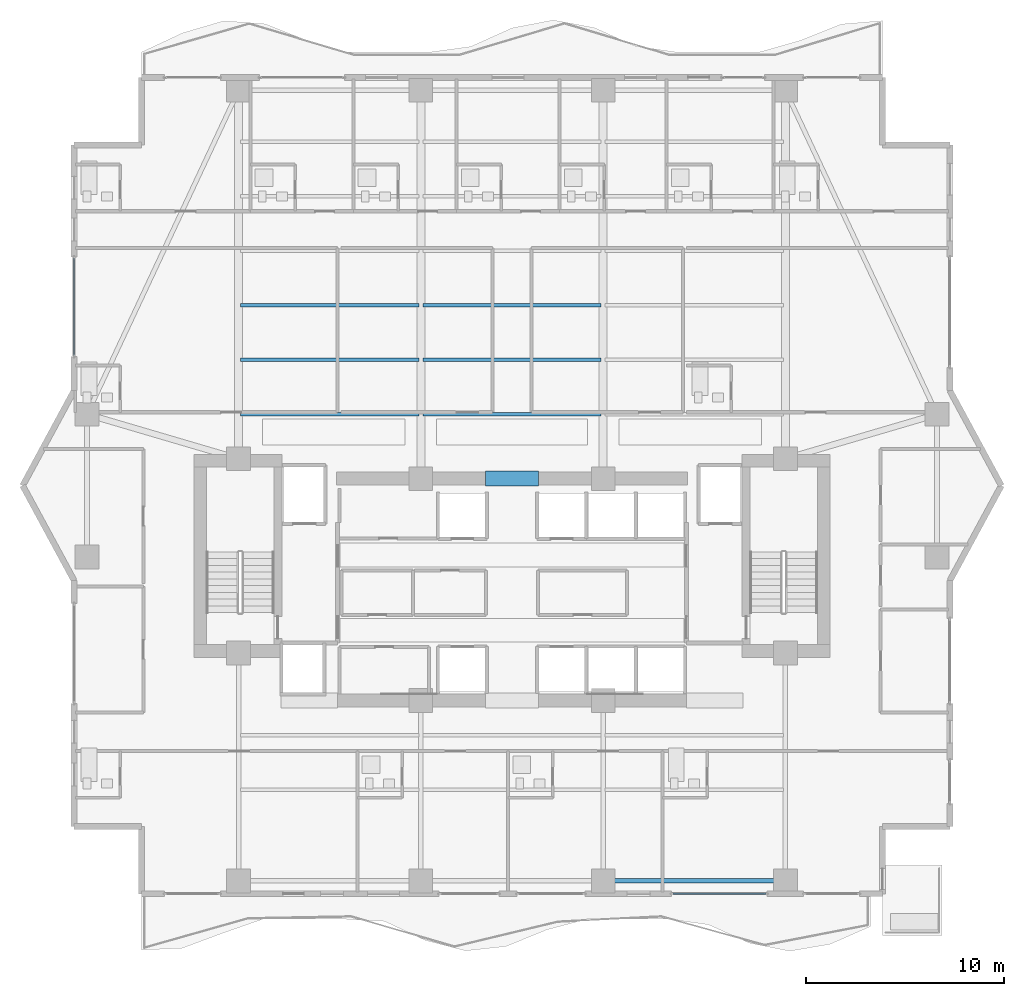
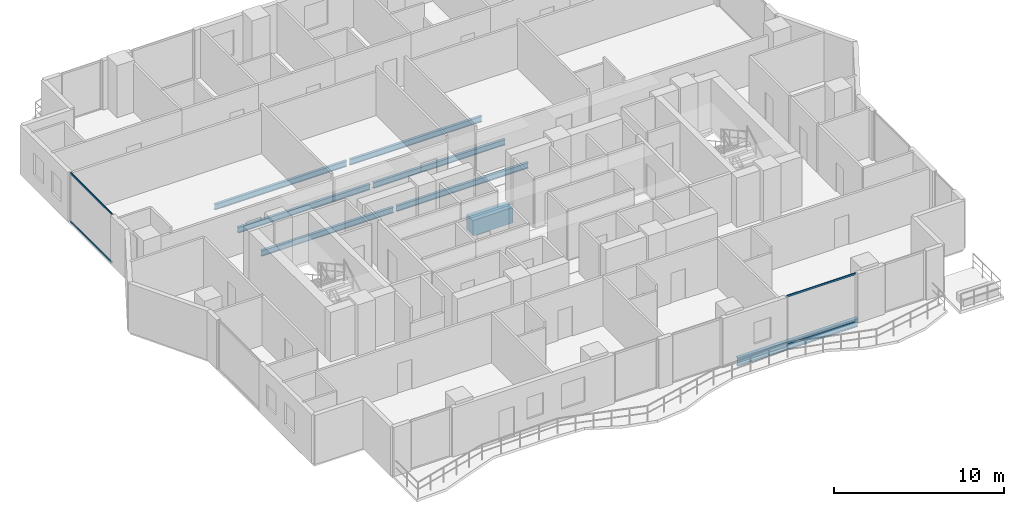
# One storey, part 10 of 32: 8 beams, 4 members, 2 elements without a shape of their own.
"""IFC4 building model written with IfcOpenShell, lengths in metres."""

from ifc_helpers import new_model, si_unit, direction, frame, origin, origin_2d, place, context, subcontext, project, spatial, rectangle, hollow_rectangle, i_section, extrude, material, layer, layer_set, material_profile, profile_set, type_object, element, aggregate, save


model = new_model("IFC4")

# Units and contexts
model_context = context("Model", 3, precision=1e-05, world=origin(), true_north=direction((0.0, 1.0)))
body_context = subcontext(model_context, "Body", "Model", "MODEL_VIEW")
ifc_project = project(units=[si_unit("LENGTHUNIT", "METRE"), si_unit("AREAUNIT", "SQUARE_METRE"), si_unit("VOLUMEUNIT", "CUBIC_METRE"), si_unit("PLANEANGLEUNIT", "RADIAN"), si_unit("MASSUNIT", "GRAM", prefix="KILO")], contexts=[model_context])

# Site, building, storey
site_placement = place(None, origin())
site = spatial("IfcSite", under=ifc_project, at=site_placement, CompositionType="ELEMENT")
building_placement = place(site_placement, origin())
building = spatial("IfcBuilding", under=site, at=building_placement, Name="Zuhayl Quay Hotel", CompositionType="ELEMENT")
storey_placement = place(building_placement, frame((0.0, 0.0, 203.64990234375)))
storey = spatial("IfcBuildingStorey", under=building, at=storey_placement, Name="L51", CompositionType="ELEMENT", Elevation=203.64990234375)

# Beams
ifc_material_1 = material(Name="Steel ASTM A992 Grade 50", Category="steel")
ifc_material_profile_1 = material_profile(ifc_material_1, i_section(OverallWidth=0.22802734375, OverallDepth=0.60693359375, WebThickness=0.01123046875, FlangeThickness=0.017333984375, at=origin_2d()), Name="W24X76")
ifc_profile_set_1 = profile_set([ifc_material_profile_1], Name="Steel ASTM A992 Grade 50")
beam_type_1 = type_object("IfcBeamType", Name="BM_B3_W24X76", PredefinedType="BEAM", material=ifc_profile_set_1)
beam_1_placement = place(storey_placement, frame((5.10009765625, -6.949951171875, -0.5234375), z_axis=(1.0, 0.0, 0.0), x_axis=(0.0, 1.0, 0.0)))
element("IfcBeam", 1, at=beam_1_placement, inside=storey, type_object=beam_type_1, Name="L51 Floor Beam RG_L51_03", PredefinedType="BEAM", context=body_context, shape_type="SweptSolid", body=[
    extrude(i_section(OverallWidth=0.22802734375, OverallDepth=0.60693359375, WebThickness=0.01123046875, FlangeThickness=0.017333984375, at=origin_2d()), origin(), (0.0, 0.0, 1.0), 8.199951171875),
])
ifc_material_2 = material(Name="Concrete C60/75", Category="concrete")
ifc_material_profile_2 = material_profile(ifc_material_2, rectangle(XDim=0.75, YDim=1.10009765625, at=origin_2d()), Name="RC750X1100")
ifc_profile_set_2 = profile_set([ifc_material_profile_2], Name="Concrete C60/75")
beam_type_2 = type_object("IfcBeamType", Name="BM_CB2_RC750", PredefinedType="T_BEAM", material=ifc_profile_set_2)
beam_2_placement = place(storey_placement, frame((-1.35009765625, 13.35009765625, -0.77001953125), z_axis=(1.0, 0.0, 0.0), x_axis=(0.0, 1.0, 0.0)))
element("IfcBeam", 2, at=beam_2_placement, inside=storey, type_object=beam_type_2, Name="L51 Core Coupling Beam North", PredefinedType="T_BEAM", context=body_context, shape_type="SweptSolid", body=[
    extrude(rectangle(XDim=0.75, YDim=1.10009765625, at=origin_2d()), origin(), (0.0, 0.0, 1.0), 2.7001953125),
])
ifc_material_profile_3 = material_profile(ifc_material_1, i_section(OverallWidth=0.177978515625, OverallDepth=0.406005859375, WebThickness=0.0078125, FlangeThickness=0.0126953125, at=origin_2d()), Name="W16X40")
ifc_profile_set_3 = profile_set([ifc_material_profile_3], Name="Steel ASTM A992 Grade 50")
beam_type_3 = type_object("IfcBeamType", Name="BM_J2B_W16X40", PredefinedType="JOIST", material=ifc_profile_set_3)
beam_3_placement = place(storey_placement, frame((-13.694091796875, 16.60009765625, -0.4228515625), z_axis=(1.0, 0.0, 0.0), x_axis=(0.0, 1.0, 0.0)))
element("IfcBeam", 3, at=beam_3_placement, inside=storey, type_object=beam_type_3, Name="L51 Floor Beam FJ_L51_1_1", PredefinedType="JOIST", context=body_context, shape_type="SweptSolid", body=[
    extrude(i_section(OverallWidth=0.177978515625, OverallDepth=0.406005859375, WebThickness=0.0078125, FlangeThickness=0.0126953125, at=origin_2d()), origin(), (0.0, 0.0, 1.0), 8.988037109375),
])
beam_4_placement = place(storey_placement, frame((-4.493896484375, 16.60009765625, -0.4228515625), z_axis=(1.0, 0.0, 0.0), x_axis=(0.0, 1.0, 0.0)))
element("IfcBeam", 4, at=beam_4_placement, inside=storey, type_object=beam_type_3, Name="L51 Floor Beam FJ_L51_1_2", PredefinedType="JOIST", context=body_context, shape_type="SweptSolid", body=[
    extrude(i_section(OverallWidth=0.177978515625, OverallDepth=0.406005859375, WebThickness=0.0078125, FlangeThickness=0.0126953125, at=origin_2d()), origin(), (0.0, 0.0, 1.0), 8.98779296875),
])
beam_5_placement = place(storey_placement, frame((-13.694091796875, 19.35009765625, -0.4228515625), z_axis=(1.0, 0.0, 0.0), x_axis=(0.0, 1.0, 0.0)))
element("IfcBeam", 5, at=beam_5_placement, inside=storey, type_object=beam_type_3, Name="L51 Floor Beam FJ_L51_2_1", PredefinedType="JOIST", context=body_context, shape_type="SweptSolid", body=[
    extrude(i_section(OverallWidth=0.177978515625, OverallDepth=0.406005859375, WebThickness=0.0078125, FlangeThickness=0.0126953125, at=origin_2d()), origin(), (0.0, 0.0, 1.0), 8.988037109375),
])
beam_6_placement = place(storey_placement, frame((-4.493896484375, 19.35009765625, -0.4228515625), z_axis=(1.0, 0.0, 0.0), x_axis=(0.0, 1.0, 0.0)))
element("IfcBeam", 6, at=beam_6_placement, inside=storey, type_object=beam_type_3, Name="L51 Floor Beam FJ_L51_2_2", PredefinedType="JOIST", context=body_context, shape_type="SweptSolid", body=[
    extrude(i_section(OverallWidth=0.177978515625, OverallDepth=0.406005859375, WebThickness=0.0078125, FlangeThickness=0.0126953125, at=origin_2d()), origin(), (0.0, 0.0, 1.0), 8.98779296875),
])
beam_7_placement = place(storey_placement, frame((-13.694091796875, 22.10009765625, -0.4228515625), z_axis=(1.0, 0.0, 0.0), x_axis=(0.0, 1.0, 0.0)))
element("IfcBeam", 7, at=beam_7_placement, inside=storey, type_object=beam_type_3, Name="L51 Floor Beam FJ_L51_3_1", PredefinedType="JOIST", context=body_context, shape_type="SweptSolid", body=[
    extrude(i_section(OverallWidth=0.177978515625, OverallDepth=0.406005859375, WebThickness=0.0078125, FlangeThickness=0.0126953125, at=origin_2d()), origin(), (0.0, 0.0, 1.0), 8.988037109375),
])
beam_8_placement = place(storey_placement, frame((-4.493896484375, 22.10009765625, -0.4228515625), z_axis=(1.0, 0.0, 0.0), x_axis=(0.0, 1.0, 0.0)))
element("IfcBeam", 8, at=beam_8_placement, inside=storey, type_object=beam_type_3, Name="L51 Floor Beam FJ_L51_3_2", PredefinedType="JOIST", context=body_context, shape_type="SweptSolid", body=[
    extrude(i_section(OverallWidth=0.177978515625, OverallDepth=0.406005859375, WebThickness=0.0078125, FlangeThickness=0.0126953125, at=origin_2d()), origin(), (0.0, 0.0, 1.0), 8.98779296875),
])

# Curtain wall, members
ifc_material_3 = material(Name="Anodised Aluminium 6063-T6", Category="aluminium")
ifc_layer = layer(ifc_material_3, 0.175048828125, Name="Anodised Aluminium 6063-T6", Category="aluminium")
ifc_layer_set = layer_set([ifc_layer], Name="Anodised Aluminium 6063-T6")
curtain_wall_type = type_object("IfcCurtainWallType", Name="CW_SYS_Z3", PredefinedType="USERDEFINED", material=ifc_layer_set)
curtain_wall_1_placement = place(storey_placement, origin())
curtain_wall_1 = element("IfcCurtainWall", 9, at=curtain_wall_1_placement, inside=storey, type_object=curtain_wall_type, Name="L51 Curtain Wall ENV_L51_E05_CW1", ObjectType="UNITISED CURTAIN WALL", PredefinedType="USERDEFINED")
ifc_material_4 = material(Name="Black-anodised aluminium 6063-T6", Category="aluminium")
ifc_material_profile_4 = material_profile(ifc_material_4, hollow_rectangle(XDim=0.054931640625, YDim=0.1298828125, WallThickness=0.0029296875, at=origin_2d()), Name="ALU130X55")
ifc_profile_set_4 = profile_set([ifc_material_profile_4], Name="Black-anodised aluminium 6063-T6")
member_type = type_object("IfcMemberType", Name="MB_CW_TRN_130", PredefinedType="USERDEFINED", material=ifc_profile_set_4)
member_1_placement = place(storey_placement, frame((-22.10009765625, 19.574951171875, 0.027587890625), z_axis=(0.0, 1.0, 0.0), x_axis=(-1.0, 0.0, 0.0)))
member_1 = element("IfcMember", 10, at=member_1_placement, type_object=member_type, Name="CW-Z3 transom 1.1", ObjectType="TRANSOM", PredefinedType="USERDEFINED", context=body_context, shape_type="SweptSolid", body=[
    extrude(hollow_rectangle(XDim=0.054931640625, YDim=0.1298828125, WallThickness=0.0029296875, at=origin_2d()), origin(), (0.0, 0.0, 1.0), 4.91015625),
])
member_2_placement = place(storey_placement, frame((-22.10009765625, 19.574951171875, 3.502685546875), z_axis=(0.0, 1.0, 0.0), x_axis=(-1.0, 0.0, 0.0)))
member_2 = element("IfcMember", 11, at=member_2_placement, type_object=member_type, Name="CW-Z3 transom 1.2", ObjectType="TRANSOM", PredefinedType="USERDEFINED", context=body_context, shape_type="SweptSolid", body=[
    extrude(hollow_rectangle(XDim=0.054931640625, YDim=0.1298828125, WallThickness=0.0029296875, at=origin_2d()), origin(), (0.0, 0.0, 1.0), 4.91015625),
])
aggregate(curtain_wall_1, [member_1, member_2])

curtain_wall_2_placement = place(storey_placement, origin())
curtain_wall_2 = element("IfcCurtainWall", 12, at=curtain_wall_2_placement, inside=storey, type_object=curtain_wall_type, Name="L51 Curtain Wall ENV_L51_S_CW2", ObjectType="UNITISED CURTAIN WALL", PredefinedType="USERDEFINED")
member_3_placement = place(storey_placement, frame((12.81494140625, -7.60009765625, 0.027587890625), z_axis=(-1.0, 0.0, 0.0), x_axis=(0.0, -1.0, 0.0)))
member_3 = element("IfcMember", 13, at=member_3_placement, type_object=member_type, Name="CW-Z3 transom 1.1", ObjectType="TRANSOM", PredefinedType="USERDEFINED", context=body_context, shape_type="SweptSolid", body=[
    extrude(hollow_rectangle(XDim=0.054931640625, YDim=0.1298828125, WallThickness=0.0029296875, at=origin_2d()), origin(), (0.0, 0.0, 1.0), 4.699951171875),
])
member_4_placement = place(storey_placement, frame((12.81494140625, -7.60009765625, 3.502685546875), z_axis=(-1.0, 0.0, 0.0), x_axis=(0.0, -1.0, 0.0)))
member_4 = element("IfcMember", 14, at=member_4_placement, type_object=member_type, Name="CW-Z3 transom 1.2", ObjectType="TRANSOM", PredefinedType="USERDEFINED", context=body_context, shape_type="SweptSolid", body=[
    extrude(hollow_rectangle(XDim=0.054931640625, YDim=0.1298828125, WallThickness=0.0029296875, at=origin_2d()), origin(), (0.0, 0.0, 1.0), 4.699951171875),
])
aggregate(curtain_wall_2, [member_3, member_4])

save(model, "model.ifc")
